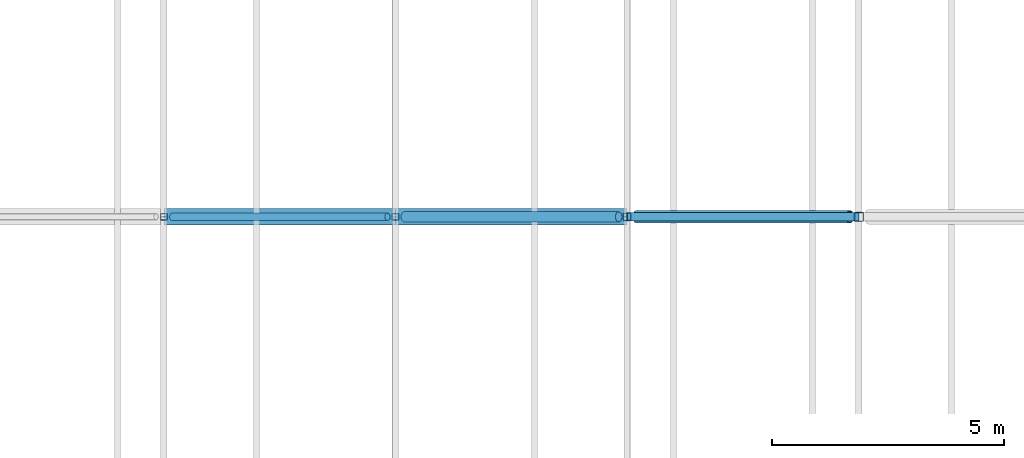
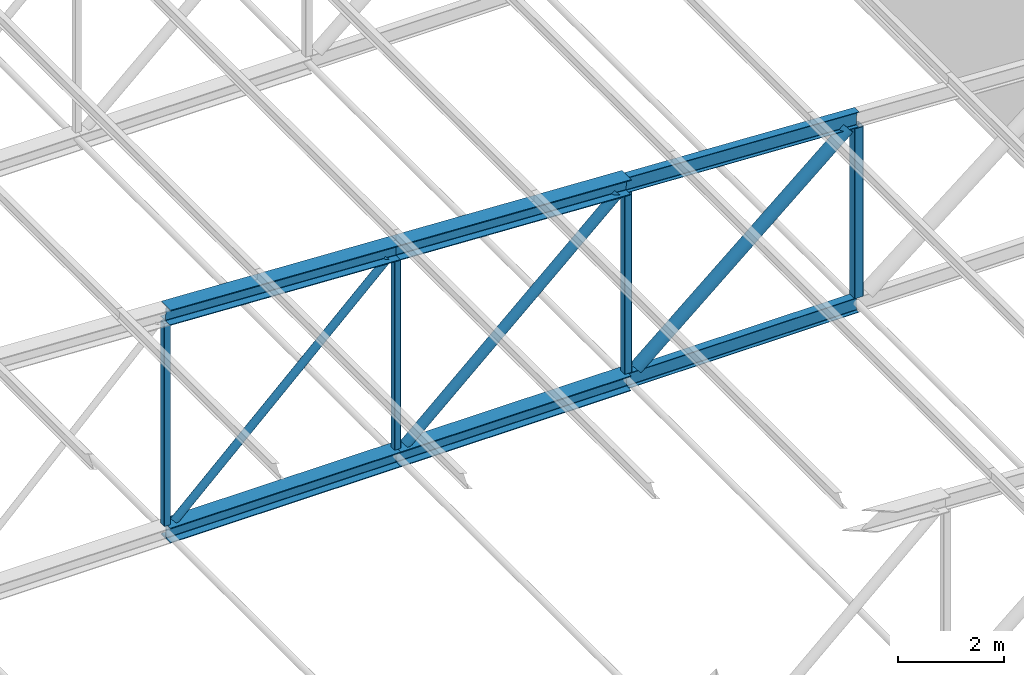
# One storey, part 80 of 156: 13 members.
"""IFC4 building model written with IfcOpenShell, lengths in metres."""

import ifcopenshell
import ifcopenshell.guid

model = None  # the IFC model being written
_history = None  # IfcOwnerHistory: only IFC2X3 demands one
_inside = {}  # id of a spatial element -> (the spatial element, [elements in it])
_under = {}  # id of a project, library or spatial element -> (it, [spatial elements below it])
_declared = {}  # id of a project -> (the project, [libraries it declares])
_typed = {}  # id of a type object -> (the type object, [elements of that type])
_made_of = {}  # id of a material, layer set ... -> (it, [elements and type objects made of it])


def new_model(schema):
    """Start an empty IFC model of exactly this schema.

    Asked for "IFC4X3", IfcOpenShell would pick the latest addendum, in which some entities
    have other attributes; the version numbers below select the first issue.
    IFC2X3 requires an IfcOwnerHistory on every rooted entity: one is made here for all.
    """
    global model, _history
    if schema == "IFC4X3":
        model = ifcopenshell.file(schema_version=(4, 3, 0, 0))
    else:
        model = ifcopenshell.file(schema=schema)
    _inside.clear()
    _under.clear()
    _declared.clear()
    _typed.clear()
    _made_of.clear()
    _history = None
    if model.schema == "IFC2X3":
        org = make("IfcOrganization", Name="unknown")
        user = make(
            "IfcPersonAndOrganization",
            ThePerson=make("IfcPerson", FamilyName="unknown"),
            TheOrganization=org,
        )
        app = make(
            "IfcApplication",
            ApplicationDeveloper=org,
            Version="unknown",
            ApplicationFullName="unknown",
            ApplicationIdentifier="unknown",
        )
        _history = make(
            "IfcOwnerHistory",
            OwningUser=user,
            OwningApplication=app,
            ChangeAction="ADDED",
            CreationDate=0,
        )
    return model


def make(cls, **values):
    """One entity of the class cls with the attributes given. An attribute that is None is left unset."""
    return model.create_entity(
        cls, **{name: value for name, value in values.items() if value is not None}
    )


def rooted(cls, **values):
    """An entity with a GlobalId (a new one), such as an element, a storey or a relation."""
    return make(cls, GlobalId=ifcopenshell.guid.new(), OwnerHistory=_history, **values)


def si_unit(unit_type, name, prefix=None):
    """IfcSIUnit, for example si_unit("LENGTHUNIT", "METRE", prefix="MILLI")."""
    return make("IfcSIUnit", UnitType=unit_type, Prefix=prefix, Name=name)


def assignment(units):
    """IfcUnitAssignment: the units of a project."""
    return None if units is None else make("IfcUnitAssignment", Units=units)


def point(xyz):
    """IfcCartesianPoint."""
    return None if xyz is None else make("IfcCartesianPoint", Coordinates=xyz)


def direction(xyz):
    """IfcDirection."""
    return None if xyz is None else make("IfcDirection", DirectionRatios=xyz)


def frame(location, z_axis=None, x_axis=None):
    """IfcAxis2Placement3D, a coordinate frame: its origin and axes. An axis left out is left unset."""
    return make(
        "IfcAxis2Placement3D",
        Location=point(location),
        Axis=direction(z_axis),
        RefDirection=direction(x_axis),
    )


def frame_2d(location, x_axis=None):
    """IfcAxis2Placement2D, a coordinate frame in the plane: its origin and x axis."""
    return make(
        "IfcAxis2Placement2D", Location=point(location), RefDirection=direction(x_axis)
    )


def origin():
    """The frame at (0, 0, 0) with its axes left unset."""
    return frame((0.0, 0.0, 0.0))


def origin_2d():
    """The frame at (0, 0) in the plane with its x axis left unset."""
    return frame_2d((0.0, 0.0))


def place(relative_to, where):
    """IfcLocalPlacement: puts the frame where relative to a parent placement (None: the world)."""
    return make(
        "IfcLocalPlacement", PlacementRelTo=relative_to, RelativePlacement=where
    )


def context(
    kind, dimensions, precision=None, world=None, true_north=None, identifier=None
):
    """IfcGeometricRepresentationContext, for example the 3D "Model" context."""
    return make(
        "IfcGeometricRepresentationContext",
        ContextIdentifier=identifier,
        ContextType=kind,
        CoordinateSpaceDimension=dimensions,
        Precision=precision,
        WorldCoordinateSystem=world,
        TrueNorth=true_north,
    )


def subcontext(parent, identifier, kind, view, scale=None):
    """IfcGeometricRepresentationSubContext, for example "Body" below "Model"."""
    return make(
        "IfcGeometricRepresentationSubContext",
        ContextIdentifier=identifier,
        ContextType=kind,
        ParentContext=parent,
        TargetScale=scale,
        TargetView=view,
    )


def project(units=None, contexts=None):
    """IfcProject with its units and contexts."""
    return rooted(
        "IfcProject",
        Name="project",
        RepresentationContexts=contexts,
        UnitsInContext=assignment(units),
    )


def spatial(cls, under=None, at=None, **own):
    """A site, building, storey or space (cls), placed at a placement, below another one or the project."""
    s = rooted(cls, ObjectPlacement=at, **own)
    if under is not None:
        _under.setdefault(under.id(), (under, []))[1].append(s)
    return s


def profile(cls, at=None, kind="AREA", **sizes):
    """A parametric profile (cls). Its sizes go by their IFC names, for example OverallWidth=200.0."""
    return make(cls, ProfileType=kind, Position=at, **sizes)


def hollow_rectangle(**sizes):
    """IfcRectangleHollowProfileDef."""
    return profile("IfcRectangleHollowProfileDef", **sizes)


def hollow_circle(**sizes):
    """IfcCircleHollowProfileDef."""
    return profile("IfcCircleHollowProfileDef", **sizes)


def i_section(**sizes):
    """IfcIShapeProfileDef."""
    return profile("IfcIShapeProfileDef", **sizes)


def extrude(swept, where, along, depth):
    """IfcExtrudedAreaSolid: the profile swept, set in the frame where, extruded along a direction by depth."""
    return make(
        "IfcExtrudedAreaSolid",
        SweptArea=swept,
        Position=where,
        ExtrudedDirection=direction(along),
        Depth=depth,
    )


def shape(context_of_items, identifier, shape_type, items):
    """IfcShapeRepresentation: the items that make up one representation, for example the "Body"."""
    return make(
        "IfcShapeRepresentation",
        ContextOfItems=context_of_items,
        RepresentationIdentifier=identifier,
        RepresentationType=shape_type,
        Items=items,
    )


def material(Name=None, Category=None):
    """IfcMaterial."""
    return make("IfcMaterial", Name=Name, Category=Category)


def material_profile(
    of_material, cross_section, Name=None, Category=None, Priority=None
):
    """IfcMaterialProfile: a cross section and its material."""
    return make(
        "IfcMaterialProfile",
        Name=Name,
        Material=of_material,
        Profile=cross_section,
        Priority=Priority,
        Category=Category,
    )


def profile_set(profiles, Name=None, composite=None):
    """IfcMaterialProfileSet."""
    return make(
        "IfcMaterialProfileSet",
        Name=Name,
        MaterialProfiles=profiles,
        CompositeProfile=composite,
    )


def made_of(thing, what):
    """Note that an element or type object is made of a material, layer set ...; save() writes the relation."""
    if what is not None:
        _made_of.setdefault(what.id(), (what, []))[1].append(thing)
    return thing


def type_object(cls, material=None, **own):
    """A type object (cls), such as IfcWallType, which elements share."""
    return made_of(rooted(cls, **own), material)


def element(
    cls,
    number,
    at=None,
    inside=None,
    cuts=None,
    type_object=None,
    material=None,
    context=None,
    identifier="Body",
    shape_type=None,
    held_by="IfcProductDefinitionShape",
    body=None,
    shapes=None,
    **own,
):
    """One element of the class cls, such as IfcWall. Its Tag is "e" and its number.

    at: its placement. inside: the storey or other place that contains it. cuts: it is an
    opening in that element (IfcRelVoidsElement). A single representation is given by context,
    identifier, shape_type and body (its items); several are given by shapes. held_by: the class
    of the entity that holds the representations. save() writes the other relations.
    """
    e = rooted(cls, Tag="e%d" % number, ObjectPlacement=at, **own)
    if body is not None:
        shapes = [shape(context, identifier, shape_type, body)]
    if shapes is not None:
        e.Representation = make(held_by, Representations=shapes)
    if inside is not None:
        _inside.setdefault(inside.id(), (inside, []))[1].append(e)
    if cuts is not None:
        rooted(
            "IfcRelVoidsElement", RelatingBuildingElement=cuts, RelatedOpeningElement=e
        )
    if type_object is not None:
        _typed.setdefault(type_object.id(), (type_object, []))[1].append(e)
    return made_of(e, material)


def aggregate(whole, parts):
    """IfcRelAggregates: a whole, such as a stair, and the parts it consists of."""
    return rooted("IfcRelAggregates", RelatingObject=whole, RelatedObjects=parts)


def save(model, path):
    """Write the relations noted so far, then the file.

    IfcRelAggregates (storeys below a building ...), IfcRelContainedInSpatialStructure (elements
    in a storey), IfcRelDefinesByType, IfcRelAssociatesMaterial and IfcRelDeclares: one each for
    every whole, place, type object, material and project.
    """
    for whole, parts in _under.values():
        aggregate(whole, parts)
    for where, things in _inside.values():
        rooted(
            "IfcRelContainedInSpatialStructure",
            RelatedElements=things,
            RelatingStructure=where,
        )
    for kind, things in _typed.values():
        rooted("IfcRelDefinesByType", RelatedObjects=things, RelatingType=kind)
    for what, things in _made_of.values():
        rooted("IfcRelAssociatesMaterial", RelatedObjects=things, RelatingMaterial=what)
    for by, libraries in _declared.values():
        rooted("IfcRelDeclares", RelatingContext=by, RelatedDefinitions=libraries)
    model.write(path)


model = new_model("IFC4")

# Units and contexts
model_context = context("Model", 3, precision=1e-05, world=origin(), true_north=direction((0.0, 1.0)))
body_context = subcontext(model_context, "Body", "Model", "MODEL_VIEW")
ifc_project = project(units=[si_unit("LENGTHUNIT", "METRE"), si_unit("AREAUNIT", "SQUARE_METRE"), si_unit("VOLUMEUNIT", "CUBIC_METRE"), si_unit("PLANEANGLEUNIT", "RADIAN"), si_unit("MASSUNIT", "GRAM", prefix="KILO")], contexts=[model_context])

# Site, building, storey
site_placement = place(None, origin())
site = spatial("IfcSite", under=ifc_project, at=site_placement, CompositionType="ELEMENT")
building_placement = place(site_placement, origin())
building = spatial("IfcBuilding", under=site, at=building_placement, Name="Lilac Gate Convention Centre", CompositionType="ELEMENT")
storey_placement = place(building_placement, frame((0.0, 0.0, 17.0)))
storey = spatial("IfcBuildingStorey", under=building, at=storey_placement, Name="L03", CompositionType="ELEMENT", Elevation=17.0)

# Members
ifc_material = material(Name="Steel Q355B", Category="steel")
ifc_material_profile_1 = material_profile(ifc_material, i_section(OverallWidth=0.175048828125, OverallDepth=0.35009765625, WebThickness=0.007080078125, FlangeThickness=0.010986328125, FilletRadius=0.012939453125, at=origin_2d()), Name="HN350x175x7x11")
ifc_profile_set_1 = profile_set([ifc_material_profile_1], Name="Steel Q355B")
member_type_1 = type_object("IfcMemberType", Name="Truss bottom chord HN350x175x7x11", PredefinedType="CHORD", material=ifc_profile_set_1)
member_1_placement = place(storey_placement, frame((80.0, 114.0, 0.0), z_axis=(1.0, 0.0, 0.0), x_axis=(0.0, 1.0, 0.0)))
element("IfcMember", 1, at=member_1_placement, inside=storey, type_object=member_type_1, Name="TB1 truss 8 bottom chord 11", PredefinedType="CHORD", context=body_context, shape_type="SweptSolid", body=[
    extrude(i_section(OverallWidth=0.175048828125, OverallDepth=0.35009765625, WebThickness=0.007080078125, FlangeThickness=0.010986328125, FilletRadius=0.012939453125, at=origin_2d()), origin(), (0.0, 0.0, 1.0), 5.0),
])
ifc_material_profile_2 = material_profile(ifc_material, i_section(OverallWidth=0.35009765625, OverallDepth=0.35009765625, WebThickness=0.011962890625, FlangeThickness=0.01904296875, FilletRadius=0.012939453125, at=origin_2d()), Name="HW350x350x12x19")
ifc_profile_set_2 = profile_set([ifc_material_profile_2], Name="Steel Q355B")
member_type_2 = type_object("IfcMemberType", Name="Truss bottom chord HW350x350x12x19", PredefinedType="CHORD", material=ifc_profile_set_2)
for number, where, z_axis, x_axis, name in (
    (2, (70.0, 114.0, 0.0), (1.0, 0.0, 0.0), (0.0, 1.0, 0.0), "TB2 truss 8 bottom chord 9"),
    (3, (75.0, 114.0, 0.0), (1.0, 0.0, 0.0), (0.0, 1.0, 0.0), "TB2 truss 8 bottom chord 10"),
):
    element("IfcMember", number, at=place(storey_placement, frame(where, z_axis=z_axis, x_axis=x_axis)), inside=storey, type_object=member_type_2, Name=name, PredefinedType="CHORD", context=body_context, shape_type="SweptSolid", body=[
        extrude(i_section(OverallWidth=0.35009765625, OverallDepth=0.35009765625, WebThickness=0.011962890625, FlangeThickness=0.01904296875, FilletRadius=0.012939453125, at=origin_2d()), origin(), (0.0, 0.0, 1.0), 5.0),
    ])
ifc_material_profile_3 = material_profile(ifc_material, hollow_circle(Radius=0.084228515625, WallThickness=0.006103515625, at=origin_2d()), Name="CHS168.3x6")
ifc_profile_set_3 = profile_set([ifc_material_profile_3], Name="Steel Q355B")
member_type_3 = type_object("IfcMemberType", Name="Truss diagonal CHS168.3x6", PredefinedType="BRACE", material=ifc_profile_set_3)
member_2_placement = place(storey_placement, frame((74.8271484375, 114.0, 4.585693359375), z_axis=(-0.725020373275, 0.0, -0.688727419475), x_axis=(0.0, -1.0, 0.0)))
element("IfcMember", 4, at=member_2_placement, inside=storey, type_object=member_type_3, Name="TW4 truss 8 diagonal 9", PredefinedType="BRACE", context=body_context, shape_type="SweptSolid", body=[
    extrude(hollow_circle(Radius=0.084228515625, WallThickness=0.006103515625, at=origin_2d()), origin(), (0.0, 0.0, 1.0), 6.404052734375),
])
ifc_material_profile_4 = material_profile(ifc_material, hollow_circle(Radius=0.109619140625, WallThickness=0.008056640625, at=origin_2d()), Name="CHS219.1x8")
ifc_profile_set_4 = profile_set([ifc_material_profile_4], Name="Steel Q355B")
member_type_4 = type_object("IfcMemberType", Name="Truss diagonal CHS219.1x8", PredefinedType="BRACE", material=ifc_profile_set_4)
member_3_placement = place(storey_placement, frame((79.8173828125, 114.0, 4.335693359375), z_axis=(-0.743301953498, 0.0, -0.668956056797), x_axis=(0.0, -1.0, 0.0)))
element("IfcMember", 5, at=member_3_placement, inside=storey, type_object=member_type_4, Name="TW3 truss 8 diagonal 10", PredefinedType="BRACE", context=body_context, shape_type="SweptSolid", body=[
    extrude(hollow_circle(Radius=0.109619140625, WallThickness=0.008056640625, at=origin_2d()), origin(), (0.0, 0.0, 1.0), 6.2197265625),
])
ifc_material_profile_5 = material_profile(ifc_material, hollow_circle(Radius=0.136474609375, WallThickness=0.010009765625, at=origin_2d()), Name="CHS273x10")
ifc_profile_set_5 = profile_set([ifc_material_profile_5], Name="Steel Q355B")
member_type_5 = type_object("IfcMemberType", Name="Truss diagonal CHS273x10", PredefinedType="BRACE", material=ifc_profile_set_5)
member_4_placement = place(storey_placement, frame((84.806884765625, 114.0, 4.085693359375), z_axis=(-0.761961263863, 0.0, -0.647622600263), x_axis=(0.0, -1.0, 0.0)))
element("IfcMember", 6, at=member_4_placement, inside=storey, type_object=member_type_5, Name="TW2 truss 8 diagonal 11", PredefinedType="BRACE", context=body_context, shape_type="SweptSolid", body=[
    extrude(hollow_circle(Radius=0.136474609375, WallThickness=0.010009765625, at=origin_2d()), origin(), (0.0, 0.0, 1.0), 6.03857421875),
])
ifc_material_profile_6 = material_profile(ifc_material, i_section(OverallWidth=0.175048828125, OverallDepth=0.35009765625, WebThickness=0.007080078125, FlangeThickness=0.010986328125, FilletRadius=0.012939453125, at=origin_2d()), Name="HN350x175x7x11")
ifc_profile_set_6 = profile_set([ifc_material_profile_6], Name="Steel Q355B")
member_type_6 = type_object("IfcMemberType", Name="Truss top chord HN350x175x7x11", PredefinedType="CHORD", material=ifc_profile_set_6)
member_5_placement = place(storey_placement, frame((80.0, 114.0, 4.5), z_axis=(0.998752338878, 0.0, -0.049937616944), x_axis=(0.0, 1.0, 0.0)))
element("IfcMember", 7, at=member_5_placement, inside=storey, type_object=member_type_6, Name="TT1 truss 8 top chord 11", PredefinedType="CHORD", context=body_context, shape_type="SweptSolid", body=[
    extrude(i_section(OverallWidth=0.175048828125, OverallDepth=0.35009765625, WebThickness=0.007080078125, FlangeThickness=0.010986328125, FilletRadius=0.012939453125, at=origin_2d()), origin(), (0.0, 0.0, 1.0), 5.00634765625),
])
ifc_material_profile_7 = material_profile(ifc_material, i_section(OverallWidth=0.35009765625, OverallDepth=0.35009765625, WebThickness=0.011962890625, FlangeThickness=0.01904296875, FilletRadius=0.012939453125, at=origin_2d()), Name="HW350x350x12x19")
ifc_profile_set_7 = profile_set([ifc_material_profile_7], Name="Steel Q355B")
member_type_7 = type_object("IfcMemberType", Name="Truss top chord HW350x350x12x19", PredefinedType="CHORD", material=ifc_profile_set_7)
for number, where, z_axis, x_axis, name in (
    (8, (70.0, 114.0, 5.0), (0.998752338878, 0.0, -0.049937616944), (0.0, 1.0, 0.0), "TT2 truss 8 top chord 9"),
    (9, (75.0, 114.0, 4.75), (0.998752338878, 0.0, -0.049937616944), (0.0, 1.0, 0.0), "TT2 truss 8 top chord 10"),
):
    element("IfcMember", number, at=place(storey_placement, frame(where, z_axis=z_axis, x_axis=x_axis)), inside=storey, type_object=member_type_7, Name=name, PredefinedType="CHORD", context=body_context, shape_type="SweptSolid", body=[
        extrude(i_section(OverallWidth=0.35009765625, OverallDepth=0.35009765625, WebThickness=0.011962890625, FlangeThickness=0.01904296875, FilletRadius=0.012939453125, at=origin_2d()), origin(), (0.0, 0.0, 1.0), 5.00634765625),
    ])
ifc_material_profile_8 = material_profile(ifc_material, hollow_rectangle(XDim=0.139892578125, YDim=0.139892578125, WallThickness=0.0048828125, InnerFilletRadius=0.0048828125, OuterFilletRadius=0.010009765625, at=origin_2d()), Name="SHS140x140x5")
ifc_profile_set_8 = profile_set([ifc_material_profile_8], Name="Steel Q355B")
member_type_8 = type_object("IfcMemberType", Name="Truss vertical SHS140x140x5", PredefinedType="STRUT", material=ifc_profile_set_8)
member_6_placement = place(storey_placement, frame((70.0, 114.0, 0.175048828125), z_axis=(0.0, 0.0, 1.0), x_axis=(1.0, 0.0, 0.0)))
element("IfcMember", 10, at=member_6_placement, inside=storey, type_object=member_type_8, Name="TV4 truss 8 vertical 9", PredefinedType="STRUT", context=body_context, shape_type="SweptSolid", body=[
    extrude(hollow_rectangle(XDim=0.139892578125, YDim=0.139892578125, WallThickness=0.0048828125, InnerFilletRadius=0.0048828125, OuterFilletRadius=0.010009765625, at=origin_2d()), origin(), (0.0, 0.0, 1.0), 4.649658203125),
])
member_7_placement = place(storey_placement, frame((75.0, 114.0, 0.175048828125), z_axis=(0.0, 0.0, 1.0), x_axis=(1.0, 0.0, 0.0)))
element("IfcMember", 11, at=member_7_placement, inside=storey, type_object=member_type_8, Name="TV4 truss 8 vertical 10", PredefinedType="STRUT", context=body_context, shape_type="SweptSolid", body=[
    extrude(hollow_rectangle(XDim=0.139892578125, YDim=0.139892578125, WallThickness=0.0048828125, InnerFilletRadius=0.0048828125, OuterFilletRadius=0.010009765625, at=origin_2d()), origin(), (0.0, 0.0, 1.0), 4.399658203125),
])
ifc_material_profile_9 = material_profile(ifc_material, hollow_rectangle(XDim=0.159912109375, YDim=0.159912109375, WallThickness=0.006103515625, InnerFilletRadius=0.006103515625, OuterFilletRadius=0.011962890625, at=origin_2d()), Name="SHS160x160x6")
ifc_profile_set_9 = profile_set([ifc_material_profile_9], Name="Steel Q355B")
member_type_9 = type_object("IfcMemberType", Name="Truss vertical SHS160x160x6", PredefinedType="STRUT", material=ifc_profile_set_9)
member_8_placement = place(storey_placement, frame((80.0, 114.0, 0.175048828125), z_axis=(0.0, 0.0, 1.0), x_axis=(1.0, 0.0, 0.0)))
element("IfcMember", 12, at=member_8_placement, inside=storey, type_object=member_type_9, Name="TV3 truss 8 vertical 11", PredefinedType="STRUT", context=body_context, shape_type="SweptSolid", body=[
    extrude(hollow_rectangle(XDim=0.159912109375, YDim=0.159912109375, WallThickness=0.006103515625, InnerFilletRadius=0.006103515625, OuterFilletRadius=0.011962890625, at=origin_2d()), origin(), (0.0, 0.0, 1.0), 4.149658203125),
])
ifc_material_profile_10 = material_profile(ifc_material, hollow_rectangle(XDim=0.199951171875, YDim=0.199951171875, WallThickness=0.008056640625, InnerFilletRadius=0.011962890625, OuterFilletRadius=0.02001953125, at=origin_2d()), Name="SHS200x200x8")
ifc_profile_set_10 = profile_set([ifc_material_profile_10], Name="Steel Q355B")
member_type_10 = type_object("IfcMemberType", Name="Truss vertical SHS200x200x8", PredefinedType="STRUT", material=ifc_profile_set_10)
member_9_placement = place(storey_placement, frame((85.0, 114.0, 0.175048828125), z_axis=(0.0, 0.0, 1.0), x_axis=(1.0, 0.0, 0.0)))
element("IfcMember", 13, at=member_9_placement, inside=storey, type_object=member_type_10, Name="TV2 truss 8 vertical 12", PredefinedType="STRUT", context=body_context, shape_type="SweptSolid", body=[
    extrude(hollow_rectangle(XDim=0.199951171875, YDim=0.199951171875, WallThickness=0.008056640625, InnerFilletRadius=0.011962890625, OuterFilletRadius=0.02001953125, at=origin_2d()), origin(), (0.0, 0.0, 1.0), 3.899658203125),
])

save(model, "model.ifc")
